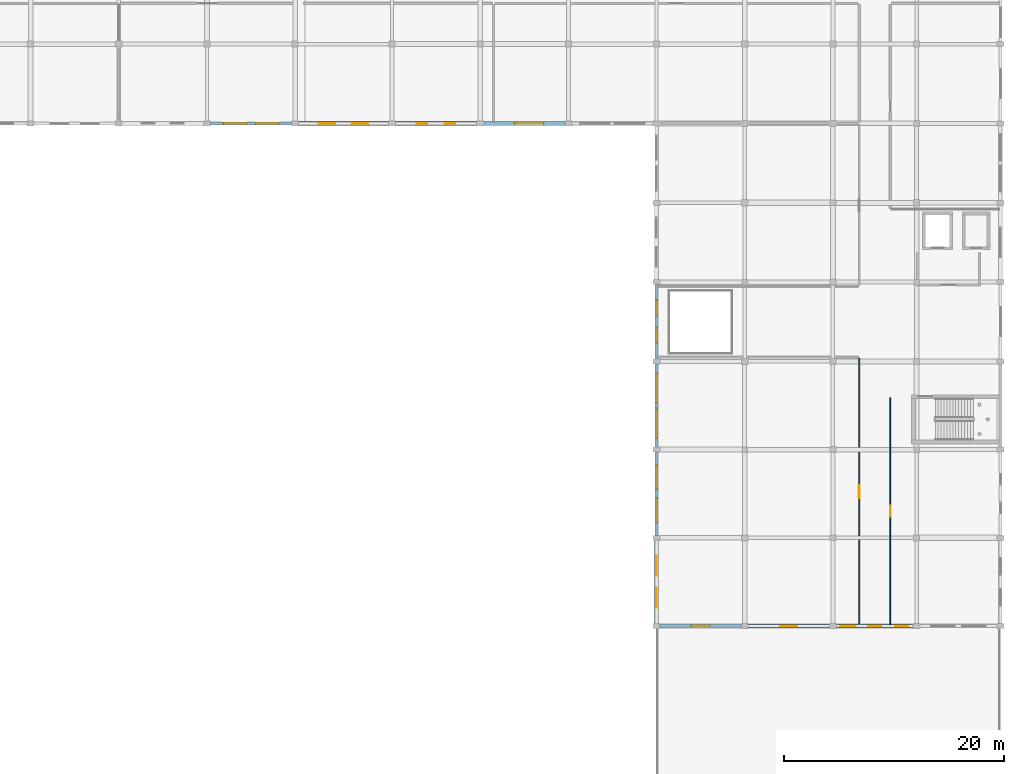
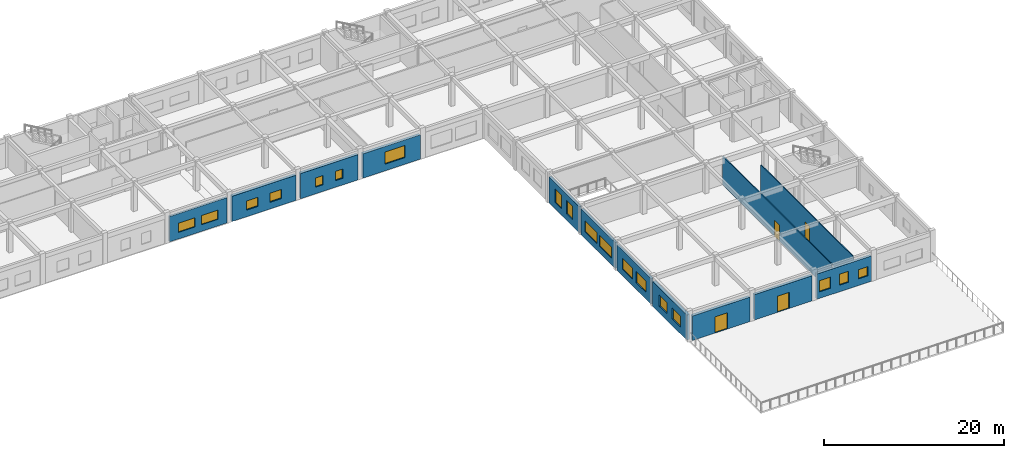
# One storey, part 10 of 19: 18 windows, 13 walls, 4 doors, 22 openings.
"""IFC4 building model written with IfcOpenShell, lengths in metres."""

from ifc_helpers import new_model, si_unit, direction, frame, frame_2d, origin, place, context, subcontext, project, spatial, rectangle, extrude, material, layer, layer_set, type_object, element, fill, save


model = new_model("IFC4")

# Units and contexts
model_context = context("Model", 3, precision=1e-05, world=origin(), true_north=direction((0.0, 1.0)))
body_context = subcontext(model_context, "Body", "Model", "MODEL_VIEW")
ifc_project = project(units=[si_unit("LENGTHUNIT", "METRE"), si_unit("AREAUNIT", "SQUARE_METRE"), si_unit("VOLUMEUNIT", "CUBIC_METRE"), si_unit("PLANEANGLEUNIT", "RADIAN"), si_unit("MASSUNIT", "GRAM", prefix="KILO")], contexts=[model_context])

# Site, building, storey
site_placement = place(None, origin())
site = spatial("IfcSite", under=ifc_project, at=site_placement, CompositionType="ELEMENT")
building_placement = place(site_placement, origin())
building = spatial("IfcBuilding", under=site, at=building_placement, Name="Kharva Crest Polytechnic", CompositionType="ELEMENT")
storey_placement = place(building_placement, frame((0.0, 0.0, 21.60009765625)))
storey = spatial("IfcBuildingStorey", under=building, at=storey_placement, Name="L05", CompositionType="ELEMENT", Elevation=21.60009765625)

# Wall, openings, windows
ifc_material_1 = material(Name="Kiln brick masonry", Category="masonry")
ifc_layer_1 = layer(ifc_material_1, 0.260009765625, Name="Kiln brick masonry")
ifc_layer_set_1 = layer_set([ifc_layer_1], Name="Kiln brick masonry")
wall_type_1 = type_object("IfcWallType", Name="WL-EXT-BRK-260", PredefinedType="SOLIDWALL", material=ifc_layer_set_1)
wall_1_placement = place(storey_placement, frame((112.320068359375, 100.39990234375, 0.0), z_axis=(0.0, 0.0, 1.0), x_axis=(1.0, 0.0, 0.0)))
wall_1 = element("IfcWall", 1, at=wall_1_placement, inside=storey, type_object=wall_type_1, Name="L05 Exterior Brick Wall 449", PredefinedType="SOLIDWALL", context=body_context, shape_type="SweptSolid", body=[
    extrude(rectangle(XDim=7.375, YDim=0.260009765625, at=frame_2d((3.6875, 0.0))), origin(), (0.0, 0.0, 1.0), 3.429931640625),
])
opening_1_placement = place(wall_1_placement, frame((1.1650390625, 0.0, 0.89990234375)))
opening_1 = element("IfcOpeningElement", 2, at=opening_1_placement, cuts=wall_1, Name="Opening W18", PredefinedType="OPENING", context=body_context, shape_type="SweptSolid", body=[
    extrude(rectangle(XDim=2.10009765625, YDim=1.25, at=frame_2d((1.050048828125, 0.625))), frame((0.0, 0.139892578125, 0.0), z_axis=(0.0, -1.0, 0.0), x_axis=(1.0, 0.0, 0.0)), (0.0, 0.0, 1.0), 0.280029296875),
])
opening_2_placement = place(wall_1_placement, frame((4.110107421875, 0.0, 0.89990234375)))
opening_2 = element("IfcOpeningElement", 3, at=opening_2_placement, cuts=wall_1, Name="Opening W18", PredefinedType="OPENING", context=body_context, shape_type="SweptSolid", body=[
    extrude(rectangle(XDim=2.10009765625, YDim=1.25, at=frame_2d((1.050048828125, 0.625))), frame((0.0, 0.139892578125, 0.0), z_axis=(0.0, -1.0, 0.0), x_axis=(1.0, 0.0, 0.0)), (0.0, 0.0, 1.0), 0.280029296875),
])
ifc_material_2 = material(Name="Anodised aluminium", Category="aluminium")
window_type_1 = type_object("IfcWindowType", Name="WIN-ALU-2100X1250", PartitioningType="SINGLE_PANEL", PredefinedType="WINDOW", material=ifc_material_2)
window_1_placement = place(opening_1_placement, origin())
window_1 = element("IfcWindow", 4, at=window_1_placement, inside=storey, type_object=window_type_1, Name="L05 Exterior Window 636", OverallHeight=1.25, OverallWidth=2.10009765625, PartitioningType="SINGLE_PANEL", PredefinedType="WINDOW", context=body_context, shape_type="SweptSolid", body=[
    extrude(rectangle(XDim=2.10009765625, YDim=1.25, at=frame_2d((1.050048828125, 0.625))), frame((0.0, 0.030029296875, 0.0), z_axis=(0.0, -1.0, 0.0), x_axis=(1.0, 0.0, 0.0)), (0.0, 0.0, 1.0), 0.06005859375),
])
fill(opening_1, window_1)
window_2_placement = place(opening_2_placement, origin())
window_2 = element("IfcWindow", 5, at=window_2_placement, inside=storey, type_object=window_type_1, Name="L05 Exterior Window 637", OverallHeight=1.25, OverallWidth=2.10009765625, PartitioningType="SINGLE_PANEL", PredefinedType="WINDOW", context=body_context, shape_type="SweptSolid", body=[
    extrude(rectangle(XDim=2.10009765625, YDim=1.25, at=frame_2d((1.050048828125, 0.625))), frame((0.0, 0.030029296875, 0.0), z_axis=(0.0, -1.0, 0.0), x_axis=(1.0, 0.0, 0.0)), (0.0, 0.0, 1.0), 0.06005859375),
])
fill(opening_2, window_2)

wall_2_placement = place(storey_placement, frame((152.800048828125, 70.580078125, 0.0), z_axis=(0.0, 0.0, 1.0), x_axis=(0.0, -1.0, 0.0)))
wall_2 = element("IfcWall", 6, at=wall_2_placement, inside=storey, type_object=wall_type_1, Name="L05 Exterior Brick Wall 458", PredefinedType="SOLIDWALL", context=body_context, shape_type="SweptSolid", body=[
    extrude(rectangle(XDim=7.56005859375, YDim=0.260009765625, at=frame_2d((3.780029296875, 0.0))), origin(), (0.0, 0.0, 1.0), 3.4599609375),
])
opening_3_placement = place(wall_2_placement, frame((1.159912109375, 0.0, 0.89990234375)))
opening_3 = element("IfcOpeningElement", 7, at=opening_3_placement, cuts=wall_2, Name="Opening W11", PredefinedType="OPENING", context=body_context, shape_type="SweptSolid", body=[
    extrude(rectangle(XDim=2.199951171875, YDim=1.5, at=frame_2d((1.10009765625, 0.75))), frame((0.0, 0.139892578125, 0.0), z_axis=(0.0, -1.0, 0.0), x_axis=(1.0, 0.0, 0.0)), (0.0, 0.0, 1.0), 0.280029296875),
])
opening_4_placement = place(wall_2_placement, frame((4.199951171875, 0.0, 0.89990234375)))
opening_4 = element("IfcOpeningElement", 8, at=opening_4_placement, cuts=wall_2, Name="Opening W11", PredefinedType="OPENING", context=body_context, shape_type="SweptSolid", body=[
    extrude(rectangle(XDim=2.199951171875, YDim=1.5, at=frame_2d((1.10009765625, 0.75))), frame((0.0, 0.139892578125, 0.0), z_axis=(0.0, -1.0, 0.0), x_axis=(1.0, 0.0, 0.0)), (0.0, 0.0, 1.0), 0.280029296875),
])
window_type_2 = type_object("IfcWindowType", Name="WIN-ALU-2200X1500", PartitioningType="SINGLE_PANEL", PredefinedType="WINDOW", material=ifc_material_2)
window_3_placement = place(opening_3_placement, origin())
window_3 = element("IfcWindow", 9, at=window_3_placement, inside=storey, type_object=window_type_2, Name="L05 Exterior Window 653", OverallHeight=1.5, OverallWidth=2.199951171875, PartitioningType="SINGLE_PANEL", PredefinedType="WINDOW", context=body_context, shape_type="SweptSolid", body=[
    extrude(rectangle(XDim=2.199951171875, YDim=1.5, at=frame_2d((1.10009765625, 0.75))), frame((0.0, 0.030029296875, 0.0), z_axis=(0.0, -1.0, 0.0), x_axis=(1.0, 0.0, 0.0)), (0.0, 0.0, 1.0), 0.06005859375),
])
fill(opening_3, window_3)
window_4_placement = place(opening_4_placement, origin())
window_4 = element("IfcWindow", 10, at=window_4_placement, inside=storey, type_object=window_type_2, Name="L05 Exterior Window 654", OverallHeight=1.5, OverallWidth=2.199951171875, PartitioningType="SINGLE_PANEL", PredefinedType="WINDOW", context=body_context, shape_type="SweptSolid", body=[
    extrude(rectangle(XDim=2.199951171875, YDim=1.5, at=frame_2d((1.10009765625, 0.75))), frame((0.0, 0.030029296875, 0.0), z_axis=(0.0, -1.0, 0.0), x_axis=(1.0, 0.0, 0.0)), (0.0, 0.0, 1.0), 0.06005859375),
])
fill(opening_4, window_4)

ifc_layer_2 = layer(ifc_material_1, 0.27490234375, Name="Kiln brick masonry")
ifc_layer_set_2 = layer_set([ifc_layer_2], Name="Kiln brick masonry")
wall_type_2 = type_object("IfcWallType", Name="WL-EXT-BRK-275", PredefinedType="SOLIDWALL", material=ifc_layer_set_2)
wall_3_placement = place(storey_placement, frame((152.800048828125, 78.580078125, 0.0), z_axis=(0.0, 0.0, 1.0), x_axis=(0.0, -1.0, 0.0)))
wall_3 = element("IfcWall", 11, at=wall_3_placement, inside=storey, type_object=wall_type_2, Name="L05 Exterior Brick Wall 457", PredefinedType="SOLIDWALL", context=body_context, shape_type="SweptSolid", body=[
    extrude(rectangle(XDim=7.56005859375, YDim=0.27490234375, at=frame_2d((3.780029296875, 0.0))), origin(), (0.0, 0.0, 1.0), 3.52001953125),
])
opening_5_placement = place(wall_3_placement, frame((0.826904296875, 0.0, 0.89990234375)))
opening_5 = element("IfcOpeningElement", 12, at=opening_5_placement, cuts=wall_3, Name="Opening W09", PredefinedType="OPENING", context=body_context, shape_type="SweptSolid", body=[
    extrude(rectangle(XDim=2.699951171875, YDim=1.5, at=frame_2d((1.35009765625, 0.75))), frame((0.0, 0.1474609375, 0.0), z_axis=(0.0, -1.0, 0.0), x_axis=(1.0, 0.0, 0.0)), (0.0, 0.0, 1.0), 0.294921875),
])
opening_6_placement = place(wall_3_placement, frame((4.032958984375, 0.0, 0.89990234375)))
opening_6 = element("IfcOpeningElement", 13, at=opening_6_placement, cuts=wall_3, Name="Opening W09", PredefinedType="OPENING", context=body_context, shape_type="SweptSolid", body=[
    extrude(rectangle(XDim=2.699951171875, YDim=1.5, at=frame_2d((1.35009765625, 0.75))), frame((0.0, 0.1474609375, 0.0), z_axis=(0.0, -1.0, 0.0), x_axis=(1.0, 0.0, 0.0)), (0.0, 0.0, 1.0), 0.294921875),
])
window_type_3 = type_object("IfcWindowType", Name="WIN-ALU-2700X1500", PartitioningType="SINGLE_PANEL", PredefinedType="WINDOW", material=ifc_material_2)
window_5_placement = place(opening_5_placement, origin())
window_5 = element("IfcWindow", 14, at=window_5_placement, inside=storey, type_object=window_type_3, Name="L05 Exterior Window 651", OverallHeight=1.5, OverallWidth=2.699951171875, PartitioningType="SINGLE_PANEL", PredefinedType="WINDOW", context=body_context, shape_type="SweptSolid", body=[
    extrude(rectangle(XDim=2.699951171875, YDim=1.5, at=frame_2d((1.35009765625, 0.75))), frame((0.0, 0.030029296875, 0.0), z_axis=(0.0, -1.0, 0.0), x_axis=(1.0, 0.0, 0.0)), (0.0, 0.0, 1.0), 0.06005859375),
])
fill(opening_5, window_5)
window_6_placement = place(opening_6_placement, origin())
window_6 = element("IfcWindow", 15, at=window_6_placement, inside=storey, type_object=window_type_3, Name="L05 Exterior Window 652", OverallHeight=1.5, OverallWidth=2.699951171875, PartitioningType="SINGLE_PANEL", PredefinedType="WINDOW", context=body_context, shape_type="SweptSolid", body=[
    extrude(rectangle(XDim=2.699951171875, YDim=1.5, at=frame_2d((1.35009765625, 0.75))), frame((0.0, 0.030029296875, 0.0), z_axis=(0.0, -1.0, 0.0), x_axis=(1.0, 0.0, 0.0)), (0.0, 0.0, 1.0), 0.06005859375),
])
fill(opening_6, window_6)

ifc_layer_3 = layer(ifc_material_1, 0.2900390625, Name="Kiln brick masonry")
ifc_layer_set_3 = layer_set([ifc_layer_3], Name="Kiln brick masonry")
wall_type_3 = type_object("IfcWallType", Name="WL-EXT-BRK-290", PredefinedType="SOLIDWALL", material=ifc_layer_set_3)
wall_4_placement = place(storey_placement, frame((152.800048828125, 85.780029296875, 0.0), z_axis=(0.0, 0.0, 1.0), x_axis=(0.0, -1.0, 0.0)))
wall_4 = element("IfcWall", 16, at=wall_4_placement, inside=storey, type_object=wall_type_3, Name="L05 Exterior Brick Wall 456", PredefinedType="SOLIDWALL", context=body_context, shape_type="SweptSolid", body=[
    extrude(rectangle(XDim=6.760009765625, YDim=0.2900390625, at=frame_2d((3.3798828125, 0.0))), origin(), (0.0, 0.0, 1.0), 3.539794921875),
])
opening_7_placement = place(wall_4_placement, frame((1.427001953125, 0.0, 0.89990234375)))
opening_7 = element("IfcOpeningElement", 17, at=opening_7_placement, cuts=wall_4, Name="Opening W07", PredefinedType="OPENING", context=body_context, shape_type="SweptSolid", body=[
    extrude(rectangle(XDim=1.39990234375, YDim=1.800048828125, at=frame_2d((0.699951171875, 0.89990234375))), frame((0.0, 0.155029296875, 0.0), z_axis=(0.0, -1.0, 0.0), x_axis=(1.0, 0.0, 0.0)), (0.0, 0.0, 1.0), 0.31005859375),
])
opening_8_placement = place(wall_4_placement, frame((3.93310546875, 0.0, 0.89990234375)))
opening_8 = element("IfcOpeningElement", 18, at=opening_8_placement, cuts=wall_4, Name="Opening W07", PredefinedType="OPENING", context=body_context, shape_type="SweptSolid", body=[
    extrude(rectangle(XDim=1.39990234375, YDim=1.800048828125, at=frame_2d((0.699951171875, 0.89990234375))), frame((0.0, 0.155029296875, 0.0), z_axis=(0.0, -1.0, 0.0), x_axis=(1.0, 0.0, 0.0)), (0.0, 0.0, 1.0), 0.31005859375),
])
window_type_4 = type_object("IfcWindowType", Name="WIN-ALU-1400X1800", PartitioningType="SINGLE_PANEL", PredefinedType="WINDOW", material=ifc_material_2)
window_7_placement = place(opening_7_placement, origin())
window_7 = element("IfcWindow", 19, at=window_7_placement, inside=storey, type_object=window_type_4, Name="L05 Exterior Window 649", OverallHeight=1.800048828125, OverallWidth=1.39990234375, PartitioningType="SINGLE_PANEL", PredefinedType="WINDOW", context=body_context, shape_type="SweptSolid", body=[
    extrude(rectangle(XDim=1.39990234375, YDim=1.800048828125, at=frame_2d((0.699951171875, 0.89990234375))), frame((0.0, 0.030029296875, 0.0), z_axis=(0.0, -1.0, 0.0), x_axis=(1.0, 0.0, 0.0)), (0.0, 0.0, 1.0), 0.06005859375),
])
fill(opening_7, window_7)
window_8_placement = place(opening_8_placement, origin())
window_8 = element("IfcWindow", 20, at=window_8_placement, inside=storey, type_object=window_type_4, Name="L05 Exterior Window 650", OverallHeight=1.800048828125, OverallWidth=1.39990234375, PartitioningType="SINGLE_PANEL", PredefinedType="WINDOW", context=body_context, shape_type="SweptSolid", body=[
    extrude(rectangle(XDim=1.39990234375, YDim=1.800048828125, at=frame_2d((0.699951171875, 0.89990234375))), frame((0.0, 0.030029296875, 0.0), z_axis=(0.0, -1.0, 0.0), x_axis=(1.0, 0.0, 0.0)), (0.0, 0.0, 1.0), 0.06005859375),
])
fill(opening_8, window_8)

ifc_layer_4 = layer(ifc_material_1, 0.3349609375, Name="Kiln brick masonry")
ifc_layer_set_4 = layer_set([ifc_layer_4], Name="Kiln brick masonry")
wall_type_4 = type_object("IfcWallType", Name="WL-EXT-BRK-335", PredefinedType="SOLIDWALL", material=ifc_layer_set_4)
wall_5_placement = place(storey_placement, frame((169.1201171875, 54.800048828125, 0.0), z_axis=(0.0, 0.0, 1.0), x_axis=(1.0, 0.0, 0.0)))
wall_5 = element("IfcWall", 21, at=wall_5_placement, inside=storey, type_object=wall_type_4, Name="L05 Exterior Brick Wall 462", PredefinedType="SOLIDWALL", context=body_context, shape_type="SweptSolid", body=[
    extrude(rectangle(XDim=6.974853515625, YDim=0.3349609375, at=frame_2d((3.4873046875, 0.0))), origin(), (0.0, 0.0, 1.0), 3.429931640625),
])
opening_9_placement = place(wall_5_placement, frame((0.3349609375, 0.0, 0.89990234375)))
opening_9 = element("IfcOpeningElement", 22, at=opening_9_placement, cuts=wall_5, Name="Opening W15", PredefinedType="OPENING", context=body_context, shape_type="SweptSolid", body=[
    extrude(rectangle(XDim=1.39990234375, YDim=1.5, at=frame_2d((0.699951171875, 0.75))), frame((0.0, 0.177490234375, 0.0), z_axis=(0.0, -1.0, 0.0), x_axis=(1.0, 0.0, 0.0)), (0.0, 0.0, 1.0), 0.35498046875),
])
opening_10_placement = place(wall_5_placement, frame((2.8798828125, 0.0, 0.89990234375)))
opening_10 = element("IfcOpeningElement", 23, at=opening_10_placement, cuts=wall_5, Name="Opening W16", PredefinedType="OPENING", context=body_context, shape_type="SweptSolid", body=[
    extrude(rectangle(XDim=1.199951171875, YDim=1.5, at=frame_2d((0.60009765625, 0.75))), frame((0.0, 0.177490234375, 0.0), z_axis=(0.0, -1.0, 0.0), x_axis=(1.0, 0.0, 0.0)), (0.0, 0.0, 1.0), 0.35498046875),
])
opening_11_placement = place(wall_5_placement, frame((5.33203125, 0.0, 0.89990234375)))
opening_11 = element("IfcOpeningElement", 24, at=opening_11_placement, cuts=wall_5, Name="Opening W21", PredefinedType="OPENING", context=body_context, shape_type="SweptSolid", body=[
    extrude(rectangle(XDim=1.199951171875, YDim=1.25, at=frame_2d((0.60009765625, 0.625))), frame((0.0, 0.177490234375, 0.0), z_axis=(0.0, -1.0, 0.0), x_axis=(1.0, 0.0, 0.0)), (0.0, 0.0, 1.0), 0.35498046875),
])
window_type_5 = type_object("IfcWindowType", Name="WIN-ALU-1200X1250", PartitioningType="SINGLE_PANEL", PredefinedType="WINDOW", material=ifc_material_2)
window_9_placement = place(opening_11_placement, origin())
window_9 = element("IfcWindow", 25, at=window_9_placement, inside=storey, type_object=window_type_5, Name="L05 Exterior Window 659", OverallHeight=1.25, OverallWidth=1.199951171875, PartitioningType="SINGLE_PANEL", PredefinedType="WINDOW", context=body_context, shape_type="SweptSolid", body=[
    extrude(rectangle(XDim=1.199951171875, YDim=1.25, at=frame_2d((0.60009765625, 0.625))), frame((0.0, 0.030029296875, 0.0), z_axis=(0.0, -1.0, 0.0), x_axis=(1.0, 0.0, 0.0)), (0.0, 0.0, 1.0), 0.06005859375),
])
fill(opening_11, window_9)
window_type_6 = type_object("IfcWindowType", Name="WIN-ALU-1200X1500", PartitioningType="SINGLE_PANEL", PredefinedType="WINDOW", material=ifc_material_2)
window_10_placement = place(opening_10_placement, origin())
window_10 = element("IfcWindow", 26, at=window_10_placement, inside=storey, type_object=window_type_6, Name="L05 Exterior Window 658", OverallHeight=1.5, OverallWidth=1.199951171875, PartitioningType="SINGLE_PANEL", PredefinedType="WINDOW", context=body_context, shape_type="SweptSolid", body=[
    extrude(rectangle(XDim=1.199951171875, YDim=1.5, at=frame_2d((0.60009765625, 0.75))), frame((0.0, 0.030029296875, 0.0), z_axis=(0.0, -1.0, 0.0), x_axis=(1.0, 0.0, 0.0)), (0.0, 0.0, 1.0), 0.06005859375),
])
fill(opening_10, window_10)
window_type_7 = type_object("IfcWindowType", Name="WIN-ALU-1400X1500", PartitioningType="SINGLE_PANEL", PredefinedType="WINDOW", material=ifc_material_2)
window_11_placement = place(opening_9_placement, origin())
window_11 = element("IfcWindow", 27, at=window_11_placement, inside=storey, type_object=window_type_7, Name="L05 Exterior Window 657", OverallHeight=1.5, OverallWidth=1.39990234375, PartitioningType="SINGLE_PANEL", PredefinedType="WINDOW", context=body_context, shape_type="SweptSolid", body=[
    extrude(rectangle(XDim=1.39990234375, YDim=1.5, at=frame_2d((0.699951171875, 0.75))), frame((0.0, 0.030029296875, 0.0), z_axis=(0.0, -1.0, 0.0), x_axis=(1.0, 0.0, 0.0)), (0.0, 0.0, 1.0), 0.06005859375),
])
fill(opening_9, window_11)

# Wall, opening, window
ifc_layer_5 = layer(ifc_material_1, 0.35009765625, Name="Kiln brick masonry")
ifc_layer_set_5 = layer_set([ifc_layer_5], Name="Kiln brick masonry")
wall_type_5 = type_object("IfcWallType", Name="WL-EXT-BRK-350", PredefinedType="SOLIDWALL", material=ifc_layer_set_5)
wall_6_placement = place(storey_placement, frame((137.1201171875, 100.39990234375, 0.0), z_axis=(0.0, 0.0, 1.0), x_axis=(1.0, 0.0, 0.0)))
wall_6 = element("IfcWall", 28, at=wall_6_placement, inside=storey, type_object=wall_type_5, Name="L05 Exterior Brick Wall 452", PredefinedType="SOLIDWALL", context=body_context, shape_type="SweptSolid", body=[
    extrude(rectangle(XDim=7.375, YDim=0.35009765625, at=frame_2d((3.6875, 0.0))), origin(), (0.0, 0.0, 1.0), 3.2998046875),
])
opening_12_placement = place(wall_6_placement, frame((2.826904296875, 0.0, 0.89990234375)))
opening_12 = element("IfcOpeningElement", 29, at=opening_12_placement, cuts=wall_6, Name="Opening W24", PredefinedType="OPENING", context=body_context, shape_type="SweptSolid", body=[
    extrude(rectangle(XDim=2.60009765625, YDim=1.64990234375, at=frame_2d((1.300048828125, 0.824951171875))), frame((0.0, 0.18505859375, 0.0), z_axis=(0.0, -1.0, 0.0), x_axis=(1.0, 0.0, 0.0)), (0.0, 0.0, 1.0), 0.3701171875),
])
window_type_8 = type_object("IfcWindowType", Name="WIN-ALU-2600X1650", PartitioningType="SINGLE_PANEL", PredefinedType="WINDOW", material=ifc_material_2)
window_12_placement = place(opening_12_placement, origin())
window_12 = element("IfcWindow", 30, at=window_12_placement, inside=storey, type_object=window_type_8, Name="L05 Exterior Window 642", OverallHeight=1.64990234375, OverallWidth=2.60009765625, PartitioningType="SINGLE_PANEL", PredefinedType="WINDOW", context=body_context, shape_type="SweptSolid", body=[
    extrude(rectangle(XDim=2.60009765625, YDim=1.64990234375, at=frame_2d((1.300048828125, 0.824951171875))), frame((0.0, 0.030029296875, 0.0), z_axis=(0.0, -1.0, 0.0), x_axis=(1.0, 0.0, 0.0)), (0.0, 0.0, 1.0), 0.06005859375),
])
fill(opening_12, window_12)

# Wall, opening, door
wall_7_placement = place(storey_placement, frame((161.10498046875, 54.800048828125, 0.0), z_axis=(0.0, 0.0, 1.0), x_axis=(1.0, 0.0, 0.0)))
wall_7 = element("IfcWall", 31, at=wall_7_placement, inside=storey, type_object=wall_type_5, Name="L05 Exterior Brick Wall 461", PredefinedType="SOLIDWALL", context=body_context, shape_type="SweptSolid", body=[
    extrude(rectangle(XDim=7.375, YDim=0.35009765625, at=frame_2d((3.6875, 0.0))), origin(), (0.0, 0.0, 1.0), 3.429931640625),
])
opening_13_placement = place(wall_7_placement, frame((2.9130859375, 0.0, 0.0)))
opening_13 = element("IfcOpeningElement", 32, at=opening_13_placement, cuts=wall_7, Name="Opening ED8", PredefinedType="OPENING", context=body_context, shape_type="SweptSolid", body=[
    extrude(rectangle(XDim=1.550048828125, YDim=2.199951171875, at=frame_2d((0.77490234375, 1.10009765625))), frame((0.0, 0.18505859375, 0.0), z_axis=(0.0, -1.0, 0.0), x_axis=(1.0, 0.0, 0.0)), (0.0, 0.0, 1.0), 0.3701171875),
])
door_type_1 = type_object("IfcDoorType", Name="DR-EXT-TER-1550X2200", OperationType="NOTDEFINED", PredefinedType="DOOR", material=ifc_material_2)
door_1_placement = place(opening_13_placement, frame((1.550048828125, 0.0, 0.0), z_axis=(0.0, 0.0, 1.0), x_axis=(-1.0, 0.0, 0.0)))
door_1 = element("IfcDoor", 33, at=door_1_placement, inside=storey, type_object=door_type_1, Name="L05 TER_E_L05 Access Door 57", OperationType="DOUBLE_DOOR_SINGLE_SWING", OverallHeight=2.199951171875, OverallWidth=1.550048828125, PredefinedType="DOOR", context=body_context, shape_type="SweptSolid", body=[
    extrude(rectangle(XDim=1.550048828125, YDim=2.199951171875, at=frame_2d((0.77490234375, 1.10009765625))), frame((0.0, 0.02490234375, 0.0), z_axis=(0.0, -1.0, 0.0), x_axis=(1.0, 0.0, 0.0)), (0.0, 0.0, 1.0), 0.050048828125),
])
fill(opening_13, door_1)

# Wall, openings, windows
ifc_layer_6 = layer(ifc_material_1, 0.364990234375, Name="Kiln brick masonry")
ifc_layer_set_6 = layer_set([ifc_layer_6], Name="Kiln brick masonry")
wall_type_6 = type_object("IfcWallType", Name="WL-EXT-BRK-365", PredefinedType="SOLIDWALL", material=ifc_layer_set_6)
wall_8_placement = place(storey_placement, frame((129.10498046875, 100.39990234375, 0.0), z_axis=(0.0, 0.0, 1.0), x_axis=(1.0, 0.0, 0.0)))
wall_8 = element("IfcWall", 34, at=wall_8_placement, inside=storey, type_object=wall_type_6, Name="L05 Exterior Brick Wall 451", PredefinedType="SOLIDWALL", context=body_context, shape_type="SweptSolid", body=[
    extrude(rectangle(XDim=7.375, YDim=0.364990234375, at=frame_2d((3.6875, 0.0))), origin(), (0.0, 0.0, 1.0), 3.429931640625),
])
opening_14_placement = place(wall_8_placement, frame((1.931884765625, 0.0, 0.89990234375)))
opening_14 = element("IfcOpeningElement", 35, at=opening_14_placement, cuts=wall_8, Name="Opening W22", PredefinedType="OPENING", context=body_context, shape_type="SweptSolid", body=[
    extrude(rectangle(XDim=0.949951171875, YDim=1.25, at=frame_2d((0.47509765625, 0.625))), frame((0.0, 0.1923828125, 0.0), z_axis=(0.0, -1.0, 0.0), x_axis=(1.0, 0.0, 0.0)), (0.0, 0.0, 1.0), 0.385009765625),
])
opening_15_placement = place(wall_8_placement, frame((4.492919921875, 0.0, 0.89990234375)))
opening_15 = element("IfcOpeningElement", 36, at=opening_15_placement, cuts=wall_8, Name="Opening W22", PredefinedType="OPENING", context=body_context, shape_type="SweptSolid", body=[
    extrude(rectangle(XDim=0.949951171875, YDim=1.25, at=frame_2d((0.47509765625, 0.625))), frame((0.0, 0.1923828125, 0.0), z_axis=(0.0, -1.0, 0.0), x_axis=(1.0, 0.0, 0.0)), (0.0, 0.0, 1.0), 0.385009765625),
])
window_type_9 = type_object("IfcWindowType", Name="WIN-ALU-950X1250", PartitioningType="SINGLE_PANEL", PredefinedType="WINDOW", material=ifc_material_2)
window_13_placement = place(opening_14_placement, origin())
window_13 = element("IfcWindow", 37, at=window_13_placement, inside=storey, type_object=window_type_9, Name="L05 Exterior Window 640", OverallHeight=1.25, OverallWidth=0.949951171875, PartitioningType="SINGLE_PANEL", PredefinedType="WINDOW", context=body_context, shape_type="SweptSolid", body=[
    extrude(rectangle(XDim=0.949951171875, YDim=1.25, at=frame_2d((0.47509765625, 0.625))), frame((0.0, 0.030029296875, 0.0), z_axis=(0.0, -1.0, 0.0), x_axis=(1.0, 0.0, 0.0)), (0.0, 0.0, 1.0), 0.06005859375),
])
fill(opening_14, window_13)
window_14_placement = place(opening_15_placement, origin())
window_14 = element("IfcWindow", 38, at=window_14_placement, inside=storey, type_object=window_type_9, Name="L05 Exterior Window 641", OverallHeight=1.25, OverallWidth=0.949951171875, PartitioningType="SINGLE_PANEL", PredefinedType="WINDOW", context=body_context, shape_type="SweptSolid", body=[
    extrude(rectangle(XDim=0.949951171875, YDim=1.25, at=frame_2d((0.47509765625, 0.625))), frame((0.0, 0.030029296875, 0.0), z_axis=(0.0, -1.0, 0.0), x_axis=(1.0, 0.0, 0.0)), (0.0, 0.0, 1.0), 0.06005859375),
])
fill(opening_15, window_14)

# Wall, opening, door
wall_9_placement = place(storey_placement, frame((153.1201171875, 54.800048828125, 0.0), z_axis=(0.0, 0.0, 1.0), x_axis=(1.0, 0.0, 0.0)))
wall_9 = element("IfcWall", 39, at=wall_9_placement, inside=storey, type_object=wall_type_6, Name="L05 Exterior Brick Wall 460", PredefinedType="SOLIDWALL", context=body_context, shape_type="SweptSolid", body=[
    extrude(rectangle(XDim=7.375, YDim=0.364990234375, at=frame_2d((3.6875, 0.0))), origin(), (0.0, 0.0, 1.0), 3.329833984375),
])
opening_16_placement = place(wall_9_placement, frame((2.862060546875, 0.0, 0.0)))
opening_16 = element("IfcOpeningElement", 40, at=opening_16_placement, cuts=wall_9, Name="Opening ED7", PredefinedType="OPENING", context=body_context, shape_type="SweptSolid", body=[
    extrude(rectangle(XDim=1.64990234375, YDim=2.199951171875, at=frame_2d((0.824951171875, 1.10009765625))), frame((0.0, 0.1923828125, 0.0), z_axis=(0.0, -1.0, 0.0), x_axis=(1.0, 0.0, 0.0)), (0.0, 0.0, 1.0), 0.385009765625),
])
door_type_2 = type_object("IfcDoorType", Name="DR-EXT-TER-1650X2200", OperationType="NOTDEFINED", PredefinedType="DOOR", material=ifc_material_2)
door_2_placement = place(opening_16_placement, frame((1.64990234375, 0.0, 0.0), z_axis=(0.0, 0.0, 1.0), x_axis=(-1.0, 0.0, 0.0)))
door_2 = element("IfcDoor", 41, at=door_2_placement, inside=storey, type_object=door_type_2, Name="L05 TER_E_L05 Access Door 56", OperationType="DOUBLE_DOOR_SINGLE_SWING", OverallHeight=2.199951171875, OverallWidth=1.64990234375, PredefinedType="DOOR", context=body_context, shape_type="SweptSolid", body=[
    extrude(rectangle(XDim=1.64990234375, YDim=2.199951171875, at=frame_2d((0.824951171875, 1.10009765625))), frame((0.0, 0.02490234375, 0.0), z_axis=(0.0, -1.0, 0.0), x_axis=(1.0, 0.0, 0.0)), (0.0, 0.0, 1.0), 0.050048828125),
])
fill(opening_16, door_2)

# Wall, openings, windows
ifc_layer_7 = layer(ifc_material_1, 0.3798828125, Name="Kiln brick masonry")
ifc_layer_set_7 = layer_set([ifc_layer_7], Name="Kiln brick masonry")
wall_type_7 = type_object("IfcWallType", Name="WL-EXT-BRK-380", PredefinedType="SOLIDWALL", material=ifc_layer_set_7)
wall_10_placement = place(storey_placement, frame((120.304931640625, 100.39990234375, 0.0), z_axis=(0.0, 0.0, 1.0), x_axis=(1.0, 0.0, 0.0)))
wall_10 = element("IfcWall", 42, at=wall_10_placement, inside=storey, type_object=wall_type_7, Name="L05 Exterior Brick Wall 450", PredefinedType="SOLIDWALL", context=body_context, shape_type="SweptSolid", body=[
    extrude(rectangle(XDim=8.190185546875, YDim=0.3798828125, at=frame_2d((4.09521484375, 0.0))), origin(), (0.0, 0.0, 1.0), 3.429931640625),
])
opening_17_placement = place(wall_10_placement, frame((1.8369140625, 0.0, 0.89990234375)))
opening_17 = element("IfcOpeningElement", 43, at=opening_17_placement, cuts=wall_10, Name="Opening W20", PredefinedType="OPENING", context=body_context, shape_type="SweptSolid", body=[
    extrude(rectangle(XDim=1.5, YDim=1.25, at=frame_2d((0.75, 0.625))), frame((0.0, 0.199951171875, 0.0), z_axis=(0.0, -1.0, 0.0), x_axis=(1.0, 0.0, 0.0)), (0.0, 0.0, 1.0), 0.39990234375),
])
opening_18_placement = place(wall_10_placement, frame((4.85302734375, 0.0, 0.89990234375)))
opening_18 = element("IfcOpeningElement", 44, at=opening_18_placement, cuts=wall_10, Name="Opening W20", PredefinedType="OPENING", context=body_context, shape_type="SweptSolid", body=[
    extrude(rectangle(XDim=1.5, YDim=1.25, at=frame_2d((0.75, 0.625))), frame((0.0, 0.199951171875, 0.0), z_axis=(0.0, -1.0, 0.0), x_axis=(1.0, 0.0, 0.0)), (0.0, 0.0, 1.0), 0.39990234375),
])
window_type_10 = type_object("IfcWindowType", Name="WIN-ALU-1500X1250", PartitioningType="SINGLE_PANEL", PredefinedType="WINDOW", material=ifc_material_2)
window_15_placement = place(opening_17_placement, origin())
window_15 = element("IfcWindow", 45, at=window_15_placement, inside=storey, type_object=window_type_10, Name="L05 Exterior Window 638", OverallHeight=1.25, OverallWidth=1.5, PartitioningType="SINGLE_PANEL", PredefinedType="WINDOW", context=body_context, shape_type="SweptSolid", body=[
    extrude(rectangle(XDim=1.5, YDim=1.25, at=frame_2d((0.75, 0.625))), frame((0.0, 0.030029296875, 0.0), z_axis=(0.0, -1.0, 0.0), x_axis=(1.0, 0.0, 0.0)), (0.0, 0.0, 1.0), 0.06005859375),
])
fill(opening_17, window_15)
window_16_placement = place(opening_18_placement, origin())
window_16 = element("IfcWindow", 46, at=window_16_placement, inside=storey, type_object=window_type_10, Name="L05 Exterior Window 639", OverallHeight=1.25, OverallWidth=1.5, PartitioningType="SINGLE_PANEL", PredefinedType="WINDOW", context=body_context, shape_type="SweptSolid", body=[
    extrude(rectangle(XDim=1.5, YDim=1.25, at=frame_2d((0.75, 0.625))), frame((0.0, 0.030029296875, 0.0), z_axis=(0.0, -1.0, 0.0), x_axis=(1.0, 0.0, 0.0)), (0.0, 0.0, 1.0), 0.06005859375),
])
fill(opening_18, window_16)

wall_11_placement = place(storey_placement, frame((152.800048828125, 62.580078125, 0.0), z_axis=(0.0, 0.0, 1.0), x_axis=(0.0, -1.0, 0.0)))
wall_11 = element("IfcWall", 47, at=wall_11_placement, inside=storey, type_object=wall_type_7, Name="L05 Exterior Brick Wall 459", PredefinedType="SOLIDWALL", context=body_context, shape_type="SweptSolid", body=[
    extrude(rectangle(XDim=7.56005859375, YDim=0.3798828125, at=frame_2d((3.780029296875, 0.0))), origin(), (0.0, 0.0, 1.0), 3.39990234375),
])
opening_19_placement = place(wall_11_placement, frame((1.427001953125, 0.0, 0.89990234375)))
opening_19 = element("IfcOpeningElement", 48, at=opening_19_placement, cuts=wall_11, Name="Opening W13", PredefinedType="OPENING", context=body_context, shape_type="SweptSolid", body=[
    extrude(rectangle(XDim=1.800048828125, YDim=1.5, at=frame_2d((0.89990234375, 0.75))), frame((0.0, 0.199951171875, 0.0), z_axis=(0.0, -1.0, 0.0), x_axis=(1.0, 0.0, 0.0)), (0.0, 0.0, 1.0), 0.39990234375),
])
opening_20_placement = place(wall_11_placement, frame((4.3330078125, 0.0, 0.89990234375)))
opening_20 = element("IfcOpeningElement", 49, at=opening_20_placement, cuts=wall_11, Name="Opening W13", PredefinedType="OPENING", context=body_context, shape_type="SweptSolid", body=[
    extrude(rectangle(XDim=1.800048828125, YDim=1.5, at=frame_2d((0.89990234375, 0.75))), frame((0.0, 0.199951171875, 0.0), z_axis=(0.0, -1.0, 0.0), x_axis=(1.0, 0.0, 0.0)), (0.0, 0.0, 1.0), 0.39990234375),
])
window_type_11 = type_object("IfcWindowType", Name="WIN-ALU-1800X1500", PartitioningType="SINGLE_PANEL", PredefinedType="WINDOW", material=ifc_material_2)
window_17_placement = place(opening_19_placement, origin())
window_17 = element("IfcWindow", 50, at=window_17_placement, inside=storey, type_object=window_type_11, Name="L05 Exterior Window 655", OverallHeight=1.5, OverallWidth=1.800048828125, PartitioningType="SINGLE_PANEL", PredefinedType="WINDOW", context=body_context, shape_type="SweptSolid", body=[
    extrude(rectangle(XDim=1.800048828125, YDim=1.5, at=frame_2d((0.89990234375, 0.75))), frame((0.0, 0.030029296875, 0.0), z_axis=(0.0, -1.0, 0.0), x_axis=(1.0, 0.0, 0.0)), (0.0, 0.0, 1.0), 0.06005859375),
])
fill(opening_19, window_17)
window_18_placement = place(opening_20_placement, origin())
window_18 = element("IfcWindow", 51, at=window_18_placement, inside=storey, type_object=window_type_11, Name="L05 Exterior Window 656", OverallHeight=1.5, OverallWidth=1.800048828125, PartitioningType="SINGLE_PANEL", PredefinedType="WINDOW", context=body_context, shape_type="SweptSolid", body=[
    extrude(rectangle(XDim=1.800048828125, YDim=1.5, at=frame_2d((0.89990234375, 0.75))), frame((0.0, 0.030029296875, 0.0), z_axis=(0.0, -1.0, 0.0), x_axis=(1.0, 0.0, 0.0)), (0.0, 0.0, 1.0), 0.06005859375),
])
fill(opening_20, window_18)

# Wall, opening, door
ifc_layer_8 = layer(ifc_material_1, 0.10009765625, Name="Kiln brick masonry")
ifc_layer_set_8 = layer_set([ifc_layer_8], Name="Kiln brick masonry")
wall_type_8 = type_object("IfcWallType", Name="WL-PART-100", PredefinedType="PARTITIONING", material=ifc_layer_set_8)
wall_12_placement = place(storey_placement, frame((174.010009765625, 54.909912109375, 0.0), z_axis=(0.0, 0.0, 1.0), x_axis=(0.0, 1.0, 0.0)))
wall_12 = element("IfcWall", 52, at=wall_12_placement, inside=storey, type_object=wall_type_8, Name="L05 Interior Partition 388", PredefinedType="PARTITIONING", context=body_context, shape_type="SweptSolid", body=[
    extrude(rectangle(XDim=20.6201171875, YDim=0.10009765625, at=frame_2d((10.31005859375, 0.0))), origin(), (0.0, 0.0, 1.0), 3.89990234375),
])
opening_21_placement = place(wall_12_placement, frame((9.81005859375, 0.0, 0.0)))
opening_21 = element("IfcOpeningElement", 53, at=opening_21_placement, cuts=wall_12, Name="Opening ID12", PredefinedType="OPENING", context=body_context, shape_type="SweptSolid", body=[
    extrude(rectangle(XDim=1.0, YDim=2.14990234375, at=frame_2d((0.5, 1.074951171875))), frame((0.0, 0.06005859375, 0.0), z_axis=(0.0, -1.0, 0.0), x_axis=(1.0, 0.0, 0.0)), (0.0, 0.0, 1.0), 0.1201171875),
])
ifc_material_3 = material(Name="Teak timber", Category="wood")
door_type_3 = type_object("IfcDoorType", Name="DR-OFF-1000X2150", OperationType="NOTDEFINED", PredefinedType="DOOR", material=ifc_material_3)
door_3_placement = place(opening_21_placement, origin())
door_3 = element("IfcDoor", 54, at=door_3_placement, inside=storey, type_object=door_type_3, Name="L05 Faculty Office L05-E Door", OperationType="SINGLE_SWING_RIGHT", OverallHeight=2.14990234375, OverallWidth=1.0, PredefinedType="DOOR", context=body_context, shape_type="SweptSolid", body=[
    extrude(rectangle(XDim=1.0, YDim=2.14990234375, at=frame_2d((0.5, 1.074951171875))), frame((0.0, 0.02490234375, 0.0), z_axis=(0.0, -1.0, 0.0), x_axis=(1.0, 0.0, 0.0)), (0.0, 0.0, 1.0), 0.050048828125),
])
fill(opening_21, door_3)

ifc_layer_9 = layer(ifc_material_1, 0.1298828125, Name="Kiln brick masonry")
ifc_layer_set_9 = layer_set([ifc_layer_9], Name="Kiln brick masonry")
wall_type_9 = type_object("IfcWallType", Name="WL-PART-130", PredefinedType="PARTITIONING", material=ifc_layer_set_9)
wall_13_placement = place(storey_placement, frame((171.18994140625, 54.909912109375, 0.0), z_axis=(0.0, 0.0, 1.0), x_axis=(0.0, 1.0, 0.0)))
wall_13 = element("IfcWall", 55, at=wall_13_placement, inside=storey, type_object=wall_type_9, Name="L05 Interior Partition 385", PredefinedType="PARTITIONING", context=body_context, shape_type="SweptSolid", body=[
    extrude(rectangle(XDim=24.18017578125, YDim=0.1298828125, at=frame_2d((12.090087890625, 0.0))), origin(), (0.0, 0.0, 1.0), 3.89990234375),
])
opening_22_placement = place(wall_13_placement, frame((11.5, 0.0, 0.0)))
opening_22 = element("IfcOpeningElement", 56, at=opening_22_placement, cuts=wall_13, Name="Opening ID8", PredefinedType="OPENING", context=body_context, shape_type="SweptSolid", body=[
    extrude(rectangle(XDim=1.179931640625, YDim=2.199951171875, at=frame_2d((0.58984375, 1.10009765625))), frame((0.0, 0.074951171875, 0.0), z_axis=(0.0, -1.0, 0.0), x_axis=(1.0, 0.0, 0.0)), (0.0, 0.0, 1.0), 0.14990234375),
])
door_type_4 = type_object("IfcDoorType", Name="DR-STD-1180X2200", OperationType="NOTDEFINED", PredefinedType="DOOR", material=ifc_material_3)
door_4_placement = place(opening_22_placement, origin())
door_4 = element("IfcDoor", 57, at=door_4_placement, inside=storey, type_object=door_type_4, Name="L05 Furniture and Timber Design Studio Door", OperationType="SINGLE_SWING_RIGHT", OverallHeight=2.199951171875, OverallWidth=1.179931640625, PredefinedType="DOOR", context=body_context, shape_type="SweptSolid", body=[
    extrude(rectangle(XDim=1.179931640625, YDim=2.199951171875, at=frame_2d((0.58984375, 1.10009765625))), frame((0.0, 0.02490234375, 0.0), z_axis=(0.0, -1.0, 0.0), x_axis=(1.0, 0.0, 0.0)), (0.0, 0.0, 1.0), 0.050048828125),
])
fill(opening_22, door_4)

save(model, "model.ifc")
